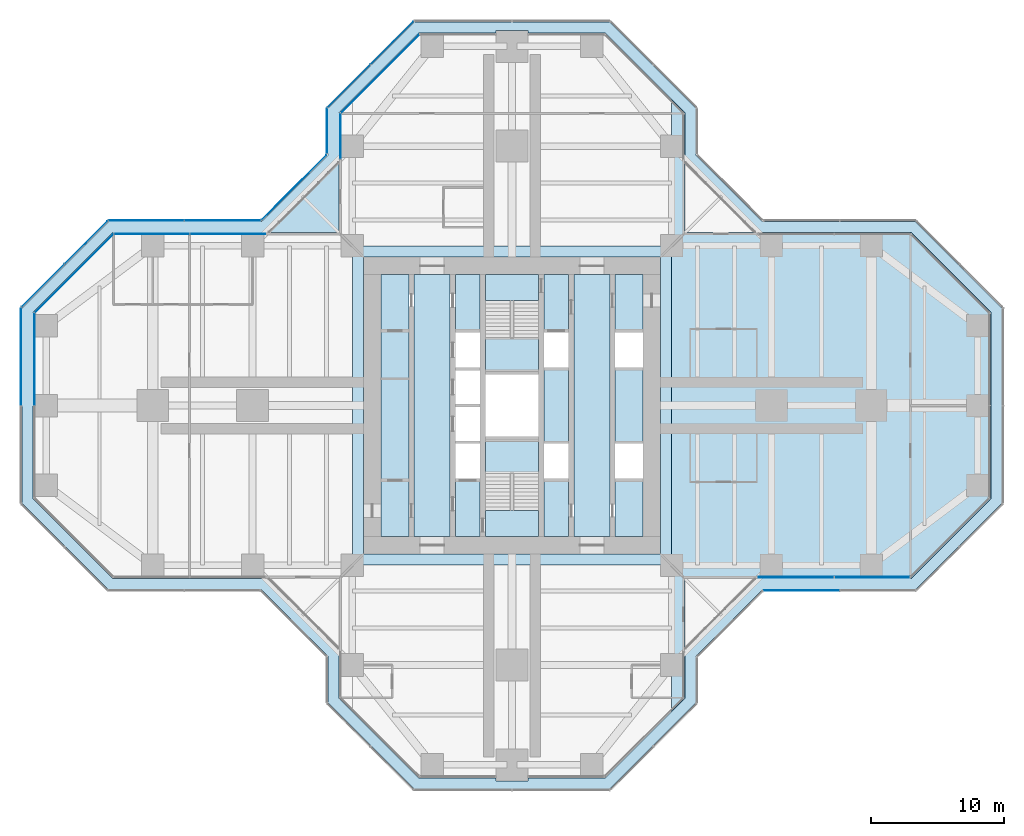
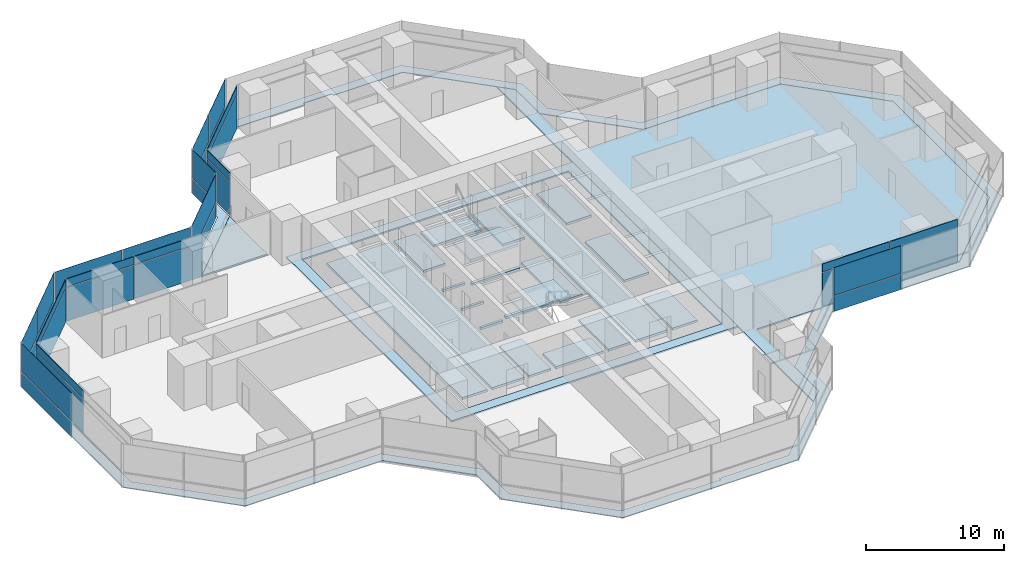
# One storey, part 13 of 19: 37 plates, 8 slabs, 15 elements without a shape of their own.
"""IFC4 building model written with IfcOpenShell, lengths in metres."""

from ifc_helpers import new_model, si_unit, direction, frame, origin, origin_2d, place, context, subcontext, project, spatial, polyline, rectangle, outline, extrude, material, layer, layer_set, type_object, element, aggregate, save


model = new_model("IFC4")

# Units and contexts
model_context = context("Model", 3, precision=1e-05, world=origin(), true_north=direction((0.0, 1.0)))
body_context = subcontext(model_context, "Body", "Model", "MODEL_VIEW")
ifc_project = project(units=[si_unit("LENGTHUNIT", "METRE"), si_unit("AREAUNIT", "SQUARE_METRE"), si_unit("VOLUMEUNIT", "CUBIC_METRE"), si_unit("PLANEANGLEUNIT", "RADIAN"), si_unit("MASSUNIT", "GRAM", prefix="KILO")], contexts=[model_context])

# Site, building, storey
site_placement = place(None, origin())
site = spatial("IfcSite", under=ifc_project, at=site_placement, CompositionType="ELEMENT")
building_placement = place(site_placement, origin())
building = spatial("IfcBuilding", under=site, at=building_placement, Name="Mizan Broadcast Tower", CompositionType="ELEMENT")
storey_placement = place(building_placement, frame((0.0, 0.0, 167.10009765625)))
storey = spatial("IfcBuildingStorey", under=building, at=storey_placement, Name="L38", CompositionType="ELEMENT", Elevation=167.10009765625)

# Plate
ifc_material_1 = material(Name="Aluminium grating", Category="aluminium")
ifc_layer_1 = layer(ifc_material_1, 0.050048828125)
ifc_layer_set_1 = layer_set([ifc_layer_1], Name="Aluminium grating")
plate_type_1 = type_object("IfcPlateType", Name="CAVITY GRATING", PredefinedType="USERDEFINED", material=ifc_layer_set_1)
plate_1_placement = place(storey_placement, frame((0.0, 0.0, -0.050048828125)))
element("IfcPlate", 1, at=plate_1_placement, inside=storey, type_object=plate_type_1, Name="Cavity grating L38", ObjectType="GRATING", PredefinedType="USERDEFINED", context=body_context, shape_type="SweptSolid", body=[
    extrude(outline(polyline([(13.820068359375, -18.839599609375), (18.839599609375, -13.820068359375), (30.339599609375, -13.820068359375), (36.820068359375, -7.339599609375), (36.820068359375, 7.339599609375), (30.339599609375, 13.820068359375), (18.839599609375, 13.820068359375), (13.820068359375, 18.839599609375), (13.820068359375, 22.339599609375), (7.339599609375, 28.820068359375), (-7.339599609375, 28.820068359375), (-13.820068359375, 22.339599609375), (-13.820068359375, 18.839599609375), (-18.839599609375, 13.820068359375), (-30.339599609375, 13.820068359375), (-36.820068359375, 7.339599609375), (-36.820068359375, -7.339599609375), (-30.339599609375, -13.820068359375), (-18.839599609375, -13.820068359375), (-13.820068359375, -18.839599609375), (-13.820068359375, -22.339599609375), (-7.339599609375, -28.820068359375), (7.339599609375, -28.820068359375), (13.820068359375, -22.339599609375), (13.820068359375, -18.839599609375)]), holes=[polyline([(36.0, 7.0), (36.0, -7.0), (30.0, -13.0), (18.5, -13.0), (13.0, -18.5), (13.0, -22.0), (7.0, -28.0), (1.199951171875, -28.0), (1.199951171875, -28.199951171875), (-1.199951171875, -28.199951171875), (-1.199951171875, -28.0), (-7.0, -28.0), (-13.0, -22.0), (-13.0, -18.5), (-18.5, -13.0), (-30.0, -13.0), (-36.0, -7.0), (-36.0, 7.0), (-30.0, 13.0), (-18.5, 13.0), (-13.0, 18.5), (-13.0, 22.0), (-7.0, 28.0), (-1.199951171875, 28.0), (-1.199951171875, 28.199951171875), (1.199951171875, 28.199951171875), (1.199951171875, 28.0), (7.0, 28.0), (13.0, 22.0), (13.0, 18.5), (18.5, 13.0), (30.0, 13.0), (36.0, 7.0)])]), origin(), (0.0, 0.0, 1.0), 0.050048828125),
])

# Slabs
ifc_material_2 = material(Name="Concrete C32/40", Category="concrete")
ifc_layer_2 = layer(ifc_material_2, 0.1298828125)
ifc_layer_set_2 = layer_set([ifc_layer_2], Name="Concrete C32/40")
slab_type_1 = type_object("IfcSlabType", Name="COMPOSITE DECK SLAB 130", PredefinedType="FLOOR", material=ifc_layer_set_2)
slab_1_placement = place(storey_placement, frame((0.0, 0.0, -0.130126953125)))
element("IfcSlab", 2, at=slab_1_placement, inside=storey, type_object=slab_type_1, Name="Floor slab L38 centre", PredefinedType="FLOOR", context=body_context, shape_type="SweptSolid", body=[
    extrude(outline(polyline([(-12.0, -12.0), (12.0, -12.0), (12.0, 12.0), (-12.0, 12.0), (-12.0, -12.0)]), holes=[polyline([(-11.14990234375, 11.14990234375), (11.14990234375, 11.14990234375), (11.14990234375, -11.14990234375), (-11.14990234375, -11.14990234375), (-11.14990234375, 11.14990234375)])]), origin(), (0.0, 0.0, 1.0), 0.130126953125),
])
slab_2_placement = place(storey_placement, frame((0.0, 0.0, -0.130126953125)))
element("IfcSlab", 3, at=slab_2_placement, inside=storey, type_object=slab_type_1, Name="Floor slab L38 east arm", PredefinedType="FLOOR", context=body_context, shape_type="SweptSolid", body=[
    extrude(outline(polyline([(12.0, -23.0), (13.0, -22.0), (13.0, -13.0), (30.0, -13.0), (36.0, -7.0), (36.0, 7.0), (30.0, 13.0), (13.0, 13.0), (13.0, 22.0), (12.0, 23.0), (12.0, -23.0)])), origin(), (0.0, 0.0, 1.0), 0.130126953125),
])
ifc_material_3 = material(Name="Concrete C40/50", Category="concrete")
ifc_layer_3 = layer(ifc_material_3, 0.199951171875)
ifc_layer_set_3 = layer_set([ifc_layer_3], Name="Concrete C40/50")
slab_type_2 = type_object("IfcSlabType", Name="CORE FLOOR 200", PredefinedType="FLOOR", material=ifc_layer_set_3)
slab_3_placement = place(storey_placement, frame((0.0, 0.0, -0.2001953125)))
element("IfcSlab", 4, at=slab_3_placement, inside=storey, type_object=slab_type_2, Name="Core floor L38", PredefinedType="FLOOR", context=body_context, shape_type="SweptSolid", body=[
    extrude(outline(polyline([(-9.85009765625, -9.85009765625), (-7.75, -9.85009765625), (-7.75, 9.85009765625), (-9.85009765625, 9.85009765625), (-9.85009765625, -9.85009765625)])), origin(), (0.0, 0.0, 1.0), 0.2001953125),
    extrude(outline(polyline([(-4.64990234375, 9.85009765625), (-7.35009765625, 9.85009765625), (-7.35009765625, -9.85009765625), (-4.64990234375, -9.85009765625), (-4.64990234375, 9.85009765625)])), origin(), (0.0, 0.0, 1.0), 0.2001953125),
    extrude(outline(polyline([(-4.25, -5.5), (-4.25, -9.85009765625), (-2.39990234375, -9.85009765625), (-2.39990234375, -5.5), (-4.25, -5.5)])), origin(), (0.0, 0.0, 1.0), 0.2001953125),
    extrude(outline(polyline([(-4.25, -2.85009765625), (-2.39990234375, -2.85009765625), (-2.39990234375, -2.64990234375), (-4.25, -2.64990234375), (-4.25, -2.85009765625)])), origin(), (0.0, 0.0, 1.0), 0.2001953125),
    extrude(outline(polyline([(-4.25, -0.10009765625), (-2.39990234375, -0.10009765625), (-2.39990234375, 0.10009765625), (-4.25, 0.10009765625), (-4.25, -0.10009765625)])), origin(), (0.0, 0.0, 1.0), 0.2001953125),
    extrude(outline(polyline([(-4.25, 2.64990234375), (-2.39990234375, 2.64990234375), (-2.39990234375, 2.85009765625), (-4.25, 2.85009765625), (-4.25, 2.64990234375)])), origin(), (0.0, 0.0, 1.0), 0.2001953125),
    extrude(outline(polyline([(-4.25, 5.5), (-2.39990234375, 5.5), (-2.39990234375, 9.85009765625), (-4.25, 9.85009765625), (-4.25, 5.5)])), origin(), (0.0, 0.0, 1.0), 0.2001953125),
    extrude(outline(polyline([(2.0, -2.324951171875), (-2.0, -2.324951171875), (-2.0, -2.574951171875), (2.0, -2.574951171875), (2.0, -2.324951171875)])), origin(), (0.0, 0.0, 1.0), 0.2001953125),
    extrude(outline(polyline([(2.0, 2.574951171875), (-2.0, 2.574951171875), (-2.0, 2.324951171875), (2.0, 2.324951171875), (2.0, 2.574951171875)])), origin(), (0.0, 0.0, 1.0), 0.2001953125),
    extrude(outline(polyline([(4.25, -9.85009765625), (4.25, -5.5), (2.39990234375, -5.5), (2.39990234375, -9.85009765625), (4.25, -9.85009765625)])), origin(), (0.0, 0.0, 1.0), 0.2001953125),
    extrude(outline(polyline([(4.25, -2.85009765625), (4.25, 2.85009765625), (2.39990234375, 2.85009765625), (2.39990234375, -2.85009765625), (4.25, -2.85009765625)])), origin(), (0.0, 0.0, 1.0), 0.2001953125),
    extrude(outline(polyline([(4.25, 5.5), (4.25, 9.85009765625), (2.39990234375, 9.85009765625), (2.39990234375, 5.5), (4.25, 5.5)])), origin(), (0.0, 0.0, 1.0), 0.2001953125),
    extrude(outline(polyline([(4.64990234375, 9.85009765625), (4.64990234375, -9.85009765625), (7.35009765625, -9.85009765625), (7.35009765625, 9.85009765625), (4.64990234375, 9.85009765625)])), origin(), (0.0, 0.0, 1.0), 0.2001953125),
    extrude(outline(polyline([(9.85009765625, -9.85009765625), (9.85009765625, -5.5), (7.75, -5.5), (7.75, -9.85009765625), (9.85009765625, -9.85009765625)])), origin(), (0.0, 0.0, 1.0), 0.2001953125),
    extrude(outline(polyline([(7.75, -2.85009765625), (9.85009765625, -2.85009765625), (9.85009765625, 2.85009765625), (7.75, 2.85009765625), (7.75, -2.85009765625)])), origin(), (0.0, 0.0, 1.0), 0.2001953125),
    extrude(outline(polyline([(9.85009765625, 5.5), (9.85009765625, 9.85009765625), (7.75, 9.85009765625), (7.75, 5.5), (9.85009765625, 5.5)])), origin(), (0.0, 0.0, 1.0), 0.2001953125),
])

# Curtain wall, plates
ifc_material_4 = material(Name="Aluminium framed glazing", Category="aluminium")
curtain_wall_type_1 = type_object("IfcCurtainWallType", Name="INNER SKIN MID ZONE", PredefinedType="USERDEFINED", material=ifc_material_4)
curtain_wall_1_placement = place(storey_placement, origin())
curtain_wall_1 = element("IfcCurtainWall", 5, at=curtain_wall_1_placement, inside=storey, type_object=curtain_wall_type_1, Name="Inner skin mid zone L38 E side", ObjectType="INNER SKIN MID ZONE", PredefinedType="USERDEFINED")
ifc_material_5 = material(Name="Double glazing, clear low-e", Category="glass")
ifc_layer_4 = layer(ifc_material_5, 0.028076171875)
ifc_layer_set_4 = layer_set([ifc_layer_4], Name="Double glazing, clear low-e")
plate_type_2 = type_object("IfcPlateType", Name="INNER SKIN GLAZING UNIT", PredefinedType="CURTAIN_PANEL", material=ifc_layer_set_4)
plate_2_placement = place(storey_placement, frame((21.379638671875, -12.89990234375, 0.0), z_axis=(0.0, 0.0, 1.0), x_axis=(1.0, 0.0, 0.0)))
plate_2 = element("IfcPlate", 6, at=plate_2_placement, type_object=plate_type_2, Name="Inner skin mid zone L38 E side panel 1.1", PredefinedType="CURTAIN_PANEL", context=body_context, shape_type="SweptSolid", body=[
    extrude(rectangle(XDim=5.639404296875, YDim=0.028076171875, at=origin_2d()), origin(), (0.0, 0.0, 1.0), 3.0),
])
plate_3_placement = place(storey_placement, frame((27.078857421875, -12.89990234375, 0.0), z_axis=(0.0, 0.0, 1.0), x_axis=(1.0, 0.0, 0.0)))
plate_3 = element("IfcPlate", 7, at=plate_3_placement, type_object=plate_type_2, Name="Inner skin mid zone L38 E side panel 2.1", PredefinedType="CURTAIN_PANEL", context=body_context, shape_type="SweptSolid", body=[
    extrude(rectangle(XDim=5.639404296875, YDim=0.028076171875, at=origin_2d()), origin(), (0.0, 0.0, 1.0), 3.0),
])

# Curtain wall, plate
curtain_wall_2_placement = place(storey_placement, origin())
curtain_wall_2 = element("IfcCurtainWall", 8, at=curtain_wall_2_placement, inside=storey, type_object=curtain_wall_type_1, Name="Inner skin mid zone L38 N chamfer", ObjectType="INNER SKIN MID ZONE", PredefinedType="USERDEFINED")
plate_4_placement = place(storey_placement, frame((-9.92919921875, 24.92919921875, 0.0), z_axis=(0.0, 0.0, 1.0), x_axis=(-0.707106781187, -0.707106781187, 0.0)))
plate_4 = element("IfcPlate", 9, at=plate_4_placement, type_object=plate_type_2, Name="Inner skin mid zone L38 N chamfer panel 1.1", PredefinedType="CURTAIN_PANEL", context=body_context, shape_type="SweptSolid", body=[
    extrude(rectangle(XDim=8.282470703125, YDim=0.028076171875, at=origin_2d()), origin(), (0.0, 0.0, 1.0), 3.0),
])

curtain_wall_3_placement = place(storey_placement, origin())
curtain_wall_3 = element("IfcCurtainWall", 10, at=curtain_wall_3_placement, inside=storey, type_object=curtain_wall_type_1, Name="Inner skin mid zone L38 N side", ObjectType="INNER SKIN MID ZONE", PredefinedType="USERDEFINED")
plate_5_placement = place(storey_placement, frame((-12.89990234375, 20.229248046875, 0.0), z_axis=(0.0, 0.0, 1.0), x_axis=(0.0, -1.0, 0.0)))
plate_5 = element("IfcPlate", 11, at=plate_5_placement, type_object=plate_type_2, Name="Inner skin mid zone L38 N side panel 1.1", PredefinedType="CURTAIN_PANEL", context=body_context, shape_type="SweptSolid", body=[
    extrude(rectangle(XDim=3.338623046875, YDim=0.028076171875, at=origin_2d()), origin(), (0.0, 0.0, 1.0), 3.0),
])

# Curtain wall, plates
curtain_wall_4_placement = place(storey_placement, origin())
curtain_wall_4 = element("IfcCurtainWall", 12, at=curtain_wall_4_placement, inside=storey, type_object=curtain_wall_type_1, Name="Inner skin mid zone L38 W side", ObjectType="INNER SKIN MID ZONE", PredefinedType="USERDEFINED")
plate_6_placement = place(storey_placement, frame((-21.379638671875, 12.89990234375, 0.0), z_axis=(0.0, 0.0, 1.0), x_axis=(-1.0, 0.0, 0.0)))
plate_6 = element("IfcPlate", 13, at=plate_6_placement, type_object=plate_type_2, Name="Inner skin mid zone L38 W side panel 1.1", PredefinedType="CURTAIN_PANEL", context=body_context, shape_type="SweptSolid", body=[
    extrude(rectangle(XDim=5.639404296875, YDim=0.028076171875, at=origin_2d()), origin(), (0.0, 0.0, 1.0), 3.0),
])
plate_7_placement = place(storey_placement, frame((-27.078857421875, 12.89990234375, 0.0), z_axis=(0.0, 0.0, 1.0), x_axis=(-1.0, 0.0, 0.0)))
plate_7 = element("IfcPlate", 14, at=plate_7_placement, type_object=plate_type_2, Name="Inner skin mid zone L38 W side panel 2.1", PredefinedType="CURTAIN_PANEL", context=body_context, shape_type="SweptSolid", body=[
    extrude(rectangle(XDim=5.639404296875, YDim=0.028076171875, at=origin_2d()), origin(), (0.0, 0.0, 1.0), 3.0),
])

# Curtain wall, plate
curtain_wall_5_placement = place(storey_placement, origin())
curtain_wall_5 = element("IfcCurtainWall", 15, at=curtain_wall_5_placement, inside=storey, type_object=curtain_wall_type_1, Name="Inner skin mid zone L38 W chamfer", ObjectType="INNER SKIN MID ZONE", PredefinedType="USERDEFINED")
plate_8_placement = place(storey_placement, frame((-32.92919921875, 9.92919921875, 0.0), z_axis=(0.0, 0.0, 1.0), x_axis=(-0.707106781187, -0.707106781187, 0.0)))
plate_8 = element("IfcPlate", 16, at=plate_8_placement, type_object=plate_type_2, Name="Inner skin mid zone L38 W chamfer panel 1.1", PredefinedType="CURTAIN_PANEL", context=body_context, shape_type="SweptSolid", body=[
    extrude(rectangle(XDim=8.282470703125, YDim=0.028076171875, at=origin_2d()), origin(), (0.0, 0.0, 1.0), 3.0),
])

curtain_wall_6_placement = place(storey_placement, origin())
curtain_wall_6 = element("IfcCurtainWall", 17, at=curtain_wall_6_placement, inside=storey, type_object=curtain_wall_type_1, Name="Inner skin mid zone L38 W end", ObjectType="INNER SKIN MID ZONE", PredefinedType="USERDEFINED")
plate_9_placement = place(storey_placement, frame((-35.89990234375, 3.46435546875, 0.0), z_axis=(0.0, 0.0, 1.0), x_axis=(0.0, -1.0, 0.0)))
plate_9 = element("IfcPlate", 18, at=plate_9_placement, type_object=plate_type_2, Name="Inner skin mid zone L38 W end panel 1.1", PredefinedType="CURTAIN_PANEL", context=body_context, shape_type="SweptSolid", body=[
    extrude(rectangle(XDim=6.86865234375, YDim=0.028076171875, at=origin_2d()), origin(), (0.0, 0.0, 1.0), 3.0),
])

# Plate
ifc_material_6 = material(Name="Insulated aluminium spandrel panel, pale anodised", Category="aluminium")
ifc_layer_5 = layer(ifc_material_6, 0.050048828125)
ifc_layer_set_5 = layer_set([ifc_layer_5], Name="Insulated aluminium spandrel panel, pale anodised")
plate_type_3 = type_object("IfcPlateType", Name="INNER SKIN SPANDREL PANEL", PredefinedType="CURTAIN_PANEL", material=ifc_layer_set_5)
plate_10_placement = place(storey_placement, frame((21.379638671875, -12.89990234375, 3.059814453125), z_axis=(0.0, 0.0, 1.0), x_axis=(1.0, 0.0, 0.0)))
plate_10 = element("IfcPlate", 19, at=plate_10_placement, type_object=plate_type_3, Name="Inner skin mid zone L38 E side panel 1.2", PredefinedType="CURTAIN_PANEL", context=body_context, shape_type="SweptSolid", body=[
    extrude(rectangle(XDim=5.639404296875, YDim=0.050048828125, at=origin_2d()), origin(), (0.0, 0.0, 1.0), 0.7099609375),
])

plate_11_placement = place(storey_placement, frame((27.078857421875, -12.89990234375, 3.059814453125), z_axis=(0.0, 0.0, 1.0), x_axis=(1.0, 0.0, 0.0)))
plate_11 = element("IfcPlate", 20, at=plate_11_placement, type_object=plate_type_3, Name="Inner skin mid zone L38 E side panel 2.2", PredefinedType="CURTAIN_PANEL", context=body_context, shape_type="SweptSolid", body=[
    extrude(rectangle(XDim=5.639404296875, YDim=0.050048828125, at=origin_2d()), origin(), (0.0, 0.0, 1.0), 0.7099609375),
])

aggregate(curtain_wall_1, [plate_2, plate_10, plate_3, plate_11])

plate_12_placement = place(storey_placement, frame((-9.92919921875, 24.92919921875, 3.059814453125), z_axis=(0.0, 0.0, 1.0), x_axis=(-0.707106781187, -0.707106781187, 0.0)))
plate_12 = element("IfcPlate", 21, at=plate_12_placement, type_object=plate_type_3, Name="Inner skin mid zone L38 N chamfer panel 1.2", PredefinedType="CURTAIN_PANEL", context=body_context, shape_type="SweptSolid", body=[
    extrude(rectangle(XDim=8.282470703125, YDim=0.050048828125, at=origin_2d()), origin(), (0.0, 0.0, 1.0), 0.7099609375),
])

aggregate(curtain_wall_2, [plate_4, plate_12])

plate_13_placement = place(storey_placement, frame((-12.89990234375, 20.229248046875, 3.059814453125), z_axis=(0.0, 0.0, 1.0), x_axis=(0.0, -1.0, 0.0)))
plate_13 = element("IfcPlate", 22, at=plate_13_placement, type_object=plate_type_3, Name="Inner skin mid zone L38 N side panel 1.2", PredefinedType="CURTAIN_PANEL", context=body_context, shape_type="SweptSolid", body=[
    extrude(rectangle(XDim=3.338623046875, YDim=0.050048828125, at=origin_2d()), origin(), (0.0, 0.0, 1.0), 0.7099609375),
])

aggregate(curtain_wall_3, [plate_5, plate_13])

plate_14_placement = place(storey_placement, frame((-21.379638671875, 12.89990234375, 3.059814453125), z_axis=(0.0, 0.0, 1.0), x_axis=(-1.0, 0.0, 0.0)))
plate_14 = element("IfcPlate", 23, at=plate_14_placement, type_object=plate_type_3, Name="Inner skin mid zone L38 W side panel 1.2", PredefinedType="CURTAIN_PANEL", context=body_context, shape_type="SweptSolid", body=[
    extrude(rectangle(XDim=5.639404296875, YDim=0.050048828125, at=origin_2d()), origin(), (0.0, 0.0, 1.0), 0.7099609375),
])

plate_15_placement = place(storey_placement, frame((-27.078857421875, 12.89990234375, 3.059814453125), z_axis=(0.0, 0.0, 1.0), x_axis=(-1.0, 0.0, 0.0)))
plate_15 = element("IfcPlate", 24, at=plate_15_placement, type_object=plate_type_3, Name="Inner skin mid zone L38 W side panel 2.2", PredefinedType="CURTAIN_PANEL", context=body_context, shape_type="SweptSolid", body=[
    extrude(rectangle(XDim=5.639404296875, YDim=0.050048828125, at=origin_2d()), origin(), (0.0, 0.0, 1.0), 0.7099609375),
])

aggregate(curtain_wall_4, [plate_6, plate_14, plate_7, plate_15])

plate_16_placement = place(storey_placement, frame((-32.92919921875, 9.92919921875, 3.059814453125), z_axis=(0.0, 0.0, 1.0), x_axis=(-0.707106781187, -0.707106781187, 0.0)))
plate_16 = element("IfcPlate", 25, at=plate_16_placement, type_object=plate_type_3, Name="Inner skin mid zone L38 W chamfer panel 1.2", PredefinedType="CURTAIN_PANEL", context=body_context, shape_type="SweptSolid", body=[
    extrude(rectangle(XDim=8.282470703125, YDim=0.050048828125, at=origin_2d()), origin(), (0.0, 0.0, 1.0), 0.7099609375),
])

aggregate(curtain_wall_5, [plate_8, plate_16])

plate_17_placement = place(storey_placement, frame((-35.89990234375, 3.46435546875, 3.059814453125), z_axis=(0.0, 0.0, 1.0), x_axis=(0.0, -1.0, 0.0)))
plate_17 = element("IfcPlate", 26, at=plate_17_placement, type_object=plate_type_3, Name="Inner skin mid zone L38 W end panel 1.2", PredefinedType="CURTAIN_PANEL", context=body_context, shape_type="SweptSolid", body=[
    extrude(rectangle(XDim=6.86865234375, YDim=0.050048828125, at=origin_2d()), origin(), (0.0, 0.0, 1.0), 0.7099609375),
])

aggregate(curtain_wall_6, [plate_9, plate_17])

# Curtain wall, plates
ifc_material_7 = material(Name="Aluminium framed glazing", Category="aluminium")
curtain_wall_type_2 = type_object("IfcCurtainWallType", Name="OUTER SKIN", PredefinedType="USERDEFINED", material=ifc_material_7)
curtain_wall_7_placement = place(storey_placement, origin())
curtain_wall_7 = element("IfcCurtainWall", 27, at=curtain_wall_7_placement, inside=storey, type_object=curtain_wall_type_2, Name="Outer skin L38 N chamfer", ObjectType="OUTER SKIN", PredefinedType="USERDEFINED")
ifc_material_8 = material(Name="Laminated clear glass", Category="glass")
ifc_layer_6 = layer(ifc_material_8, 0.02001953125)
ifc_layer_set_6 = layer_set([ifc_layer_6], Name="Laminated clear glass")
plate_type_4 = type_object("IfcPlateType", Name="OUTER SKIN CLEAR GLASS", PredefinedType="CURTAIN_PANEL", material=ifc_layer_set_6)
plate_18_placement = place(storey_placement, frame((-9.018798828125, 27.254150390625, -0.000244140625), z_axis=(0.0, 0.0, 1.0), x_axis=(-0.707106781187, -0.707106781187, 0.0)))
plate_18 = element("IfcPlate", 28, at=plate_18_placement, type_object=plate_type_4, Name="Outer skin L38 N chamfer panel 1.1", PredefinedType="CURTAIN_PANEL", context=body_context, shape_type="SweptSolid", body=[
    extrude(rectangle(XDim=4.495361328125, YDim=0.02001953125, at=origin_2d()), origin(), (0.0, 0.0, 1.0), 1.3701171875),
])
plate_19_placement = place(storey_placement, frame((-9.018798828125, 27.254150390625, 1.4296875), z_axis=(0.0, 0.0, 1.0), x_axis=(-0.707106781187, -0.707106781187, 0.0)))
plate_19 = element("IfcPlate", 29, at=plate_19_placement, type_object=plate_type_4, Name="Outer skin L38 N chamfer panel 1.2", PredefinedType="CURTAIN_PANEL", context=body_context, shape_type="SweptSolid", body=[
    extrude(rectangle(XDim=4.495361328125, YDim=0.02001953125, at=origin_2d()), origin(), (0.0, 0.0, 1.0), 2.469970703125),
])

curtain_wall_8_placement = place(storey_placement, origin())
curtain_wall_8 = element("IfcCurtainWall", 30, at=curtain_wall_8_placement, inside=storey, type_object=curtain_wall_type_2, Name="Outer skin L38 N side", ObjectType="OUTER SKIN", PredefinedType="USERDEFINED")
plate_20_placement = place(storey_placement, frame((-13.89990234375, 20.622802734375, -0.000244140625), z_axis=(0.0, 0.0, 1.0), x_axis=(0.0, -1.0, 0.0)))
plate_20 = element("IfcPlate", 31, at=plate_20_placement, type_object=plate_type_4, Name="Outer skin L38 N side panel 1.1", PredefinedType="CURTAIN_PANEL", context=body_context, shape_type="SweptSolid", body=[
    extrude(rectangle(XDim=3.340087890625, YDim=0.02001953125, at=origin_2d()), origin(), (0.0, 0.0, 1.0), 1.3701171875),
])
plate_21_placement = place(storey_placement, frame((-13.89990234375, 20.622802734375, 1.4296875), z_axis=(0.0, 0.0, 1.0), x_axis=(0.0, -1.0, 0.0)))
plate_21 = element("IfcPlate", 32, at=plate_21_placement, type_object=plate_type_4, Name="Outer skin L38 N side panel 1.2", PredefinedType="CURTAIN_PANEL", context=body_context, shape_type="SweptSolid", body=[
    extrude(rectangle(XDim=3.340087890625, YDim=0.02001953125, at=origin_2d()), origin(), (0.0, 0.0, 1.0), 2.469970703125),
])
aggregate(curtain_wall_8, [plate_20, plate_21])

curtain_wall_9_placement = place(storey_placement, origin())
curtain_wall_9 = element("IfcCurtainWall", 33, at=curtain_wall_9_placement, inside=storey, type_object=curtain_wall_type_2, Name="Outer skin L38 W chamfer", ObjectType="OUTER SKIN", PredefinedType="USERDEFINED")
plate_22_placement = place(storey_placement, frame((-16.386474609375, 16.386474609375, -0.000244140625), z_axis=(0.0, 0.0, 1.0), x_axis=(-0.707106781187, -0.707106781187, 0.0)))
plate_22 = element("IfcPlate", 34, at=plate_22_placement, type_object=plate_type_4, Name="Outer skin L38 W chamfer panel 1.1", PredefinedType="CURTAIN_PANEL", context=body_context, shape_type="SweptSolid", body=[
    extrude(rectangle(XDim=6.87255859375, YDim=0.02001953125, at=origin_2d()), origin(), (0.0, 0.0, 1.0), 1.3701171875),
])
plate_23_placement = place(storey_placement, frame((-16.386474609375, 16.386474609375, 1.4296875), z_axis=(0.0, 0.0, 1.0), x_axis=(-0.707106781187, -0.707106781187, 0.0)))
plate_23 = element("IfcPlate", 35, at=plate_23_placement, type_object=plate_type_4, Name="Outer skin L38 W chamfer panel 1.2", PredefinedType="CURTAIN_PANEL", context=body_context, shape_type="SweptSolid", body=[
    extrude(rectangle(XDim=6.87255859375, YDim=0.02001953125, at=origin_2d()), origin(), (0.0, 0.0, 1.0), 2.469970703125),
])
aggregate(curtain_wall_9, [plate_22, plate_23])

curtain_wall_10_placement = place(storey_placement, origin())
curtain_wall_10 = element("IfcCurtainWall", 36, at=curtain_wall_10_placement, inside=storey, type_object=curtain_wall_type_2, Name="Outer skin L38 W side", ObjectType="OUTER SKIN", PredefinedType="USERDEFINED")
plate_24_placement = place(storey_placement, frame((-21.767822265625, 13.89990234375, -0.000244140625), z_axis=(0.0, 0.0, 1.0), x_axis=(-1.0, 0.0, 0.0)))
plate_24 = element("IfcPlate", 37, at=plate_24_placement, type_object=plate_type_4, Name="Outer skin L38 W side panel 1.1", PredefinedType="CURTAIN_PANEL", context=body_context, shape_type="SweptSolid", body=[
    extrude(rectangle(XDim=5.6298828125, YDim=0.02001953125, at=origin_2d()), origin(), (0.0, 0.0, 1.0), 1.3701171875),
])
plate_25_placement = place(storey_placement, frame((-21.767822265625, 13.89990234375, 1.4296875), z_axis=(0.0, 0.0, 1.0), x_axis=(-1.0, 0.0, 0.0)))
plate_25 = element("IfcPlate", 38, at=plate_25_placement, type_object=plate_type_4, Name="Outer skin L38 W side panel 1.2", PredefinedType="CURTAIN_PANEL", context=body_context, shape_type="SweptSolid", body=[
    extrude(rectangle(XDim=5.6298828125, YDim=0.02001953125, at=origin_2d()), origin(), (0.0, 0.0, 1.0), 2.469970703125),
])
plate_26_placement = place(storey_placement, frame((-27.477783203125, 13.89990234375, -0.000244140625), z_axis=(0.0, 0.0, 1.0), x_axis=(-1.0, 0.0, 0.0)))
plate_26 = element("IfcPlate", 39, at=plate_26_placement, type_object=plate_type_4, Name="Outer skin L38 W side panel 2.1", PredefinedType="CURTAIN_PANEL", context=body_context, shape_type="SweptSolid", body=[
    extrude(rectangle(XDim=5.6298828125, YDim=0.02001953125, at=origin_2d()), origin(), (0.0, 0.0, 1.0), 1.3701171875),
])
plate_27_placement = place(storey_placement, frame((-27.477783203125, 13.89990234375, 1.4296875), z_axis=(0.0, 0.0, 1.0), x_axis=(-1.0, 0.0, 0.0)))
plate_27 = element("IfcPlate", 40, at=plate_27_placement, type_object=plate_type_4, Name="Outer skin L38 W side panel 2.2", PredefinedType="CURTAIN_PANEL", context=body_context, shape_type="SweptSolid", body=[
    extrude(rectangle(XDim=5.6298828125, YDim=0.02001953125, at=origin_2d()), origin(), (0.0, 0.0, 1.0), 2.469970703125),
])
aggregate(curtain_wall_10, [plate_24, plate_25, plate_26, plate_27])

curtain_wall_11_placement = place(storey_placement, origin())
curtain_wall_11 = element("IfcCurtainWall", 41, at=curtain_wall_11_placement, inside=storey, type_object=curtain_wall_type_2, Name="Outer skin L38 W chamfer", ObjectType="OUTER SKIN", PredefinedType="USERDEFINED")
plate_28_placement = place(storey_placement, frame((-32.018798828125, 12.254150390625, -0.000244140625), z_axis=(0.0, 0.0, 1.0), x_axis=(-0.707106781187, -0.707106781187, 0.0)))
plate_28 = element("IfcPlate", 42, at=plate_28_placement, type_object=plate_type_4, Name="Outer skin L38 W chamfer panel 1.1", PredefinedType="CURTAIN_PANEL", context=body_context, shape_type="SweptSolid", body=[
    extrude(rectangle(XDim=4.495361328125, YDim=0.02001953125, at=origin_2d()), origin(), (0.0, 0.0, 1.0), 1.3701171875),
])
plate_29_placement = place(storey_placement, frame((-32.018798828125, 12.254150390625, 1.4296875), z_axis=(0.0, 0.0, 1.0), x_axis=(-0.707106781187, -0.707106781187, 0.0)))
plate_29 = element("IfcPlate", 43, at=plate_29_placement, type_object=plate_type_4, Name="Outer skin L38 W chamfer panel 1.2", PredefinedType="CURTAIN_PANEL", context=body_context, shape_type="SweptSolid", body=[
    extrude(rectangle(XDim=4.495361328125, YDim=0.02001953125, at=origin_2d()), origin(), (0.0, 0.0, 1.0), 2.469970703125),
])

curtain_wall_12_placement = place(storey_placement, origin())
curtain_wall_12 = element("IfcCurtainWall", 44, at=curtain_wall_12_placement, inside=storey, type_object=curtain_wall_type_2, Name="Outer skin L38 W end", ObjectType="OUTER SKIN", PredefinedType="USERDEFINED")
plate_30_placement = place(storey_placement, frame((-36.89990234375, 3.66650390625, -0.000244140625), z_axis=(0.0, 0.0, 1.0), x_axis=(0.0, -1.0, 0.0)))
plate_30 = element("IfcPlate", 45, at=plate_30_placement, type_object=plate_type_4, Name="Outer skin L38 W end panel 1.1", PredefinedType="CURTAIN_PANEL", context=body_context, shape_type="SweptSolid", body=[
    extrude(rectangle(XDim=7.252685546875, YDim=0.02001953125, at=origin_2d()), origin(), (0.0, 0.0, 1.0), 1.3701171875),
])
plate_31_placement = place(storey_placement, frame((-36.89990234375, 3.66650390625, 1.4296875), z_axis=(0.0, 0.0, 1.0), x_axis=(0.0, -1.0, 0.0)))
plate_31 = element("IfcPlate", 46, at=plate_31_placement, type_object=plate_type_4, Name="Outer skin L38 W end panel 1.2", PredefinedType="CURTAIN_PANEL", context=body_context, shape_type="SweptSolid", body=[
    extrude(rectangle(XDim=7.252685546875, YDim=0.02001953125, at=origin_2d()), origin(), (0.0, 0.0, 1.0), 2.469970703125),
])
aggregate(curtain_wall_12, [plate_30, plate_31])

curtain_wall_13_placement = place(storey_placement, origin())
curtain_wall_13 = element("IfcCurtainWall", 47, at=curtain_wall_13_placement, inside=storey, type_object=curtain_wall_type_2, Name="Outer skin L38 E side", ObjectType="OUTER SKIN", PredefinedType="USERDEFINED")
plate_32_placement = place(storey_placement, frame((21.767822265625, -13.89990234375, -0.000244140625), z_axis=(0.0, 0.0, 1.0), x_axis=(1.0, 0.0, 0.0)))
plate_32 = element("IfcPlate", 48, at=plate_32_placement, type_object=plate_type_4, Name="Outer skin L38 E side panel 1.1", PredefinedType="CURTAIN_PANEL", context=body_context, shape_type="SweptSolid", body=[
    extrude(rectangle(XDim=5.6298828125, YDim=0.02001953125, at=origin_2d()), origin(), (0.0, 0.0, 1.0), 1.3701171875),
])
plate_33_placement = place(storey_placement, frame((21.767822265625, -13.89990234375, 1.4296875), z_axis=(0.0, 0.0, 1.0), x_axis=(1.0, 0.0, 0.0)))
plate_33 = element("IfcPlate", 49, at=plate_33_placement, type_object=plate_type_4, Name="Outer skin L38 E side panel 1.2", PredefinedType="CURTAIN_PANEL", context=body_context, shape_type="SweptSolid", body=[
    extrude(rectangle(XDim=5.6298828125, YDim=0.02001953125, at=origin_2d()), origin(), (0.0, 0.0, 1.0), 2.469970703125),
])
aggregate(curtain_wall_13, [plate_32, plate_33])

# Plate
ifc_material_9 = material(Name="Perforated aluminium, pale anodised", Category="aluminium")
ifc_layer_7 = layer(ifc_material_9, 0.011962890625)
ifc_layer_set_7 = layer_set([ifc_layer_7], Name="Perforated aluminium, pale anodised")
plate_type_5 = type_object("IfcPlateType", Name="OUTER SKIN PERFORATED SCREEN", PredefinedType="USERDEFINED", material=ifc_layer_set_7)
plate_34_placement = place(storey_placement, frame((-12.254150390625, 24.018798828125, -0.000244140625), z_axis=(0.0, 0.0, 1.0), x_axis=(-0.707106781187, -0.707106781187, 0.0)))
plate_34 = element("IfcPlate", 50, at=plate_34_placement, type_object=plate_type_5, Name="Outer skin L38 N chamfer panel 2.1", ObjectType="SCREEN", PredefinedType="USERDEFINED", context=body_context, shape_type="SweptSolid", body=[
    extrude(rectangle(XDim=4.495361328125, YDim=0.011962890625, at=origin_2d()), origin(), (0.0, 0.0, 1.0), 1.3701171875),
])

plate_35_placement = place(storey_placement, frame((-12.254150390625, 24.018798828125, 1.4296875), z_axis=(0.0, 0.0, 1.0), x_axis=(-0.707106781187, -0.707106781187, 0.0)))
plate_35 = element("IfcPlate", 51, at=plate_35_placement, type_object=plate_type_5, Name="Outer skin L38 N chamfer panel 2.2", ObjectType="SCREEN", PredefinedType="USERDEFINED", context=body_context, shape_type="SweptSolid", body=[
    extrude(rectangle(XDim=4.495361328125, YDim=0.011962890625, at=origin_2d()), origin(), (0.0, 0.0, 1.0), 2.469970703125),
])

aggregate(curtain_wall_7, [plate_18, plate_19, plate_34, plate_35])

plate_36_placement = place(storey_placement, frame((-35.254150390625, 9.018798828125, -0.000244140625), z_axis=(0.0, 0.0, 1.0), x_axis=(-0.707106781187, -0.707106781187, 0.0)))
plate_36 = element("IfcPlate", 52, at=plate_36_placement, type_object=plate_type_5, Name="Outer skin L38 W chamfer panel 2.1", ObjectType="SCREEN", PredefinedType="USERDEFINED", context=body_context, shape_type="SweptSolid", body=[
    extrude(rectangle(XDim=4.495361328125, YDim=0.011962890625, at=origin_2d()), origin(), (0.0, 0.0, 1.0), 1.3701171875),
])

plate_37_placement = place(storey_placement, frame((-35.254150390625, 9.018798828125, 1.4296875), z_axis=(0.0, 0.0, 1.0), x_axis=(-0.707106781187, -0.707106781187, 0.0)))
plate_37 = element("IfcPlate", 53, at=plate_37_placement, type_object=plate_type_5, Name="Outer skin L38 W chamfer panel 2.2", ObjectType="SCREEN", PredefinedType="USERDEFINED", context=body_context, shape_type="SweptSolid", body=[
    extrude(rectangle(XDim=4.495361328125, YDim=0.011962890625, at=origin_2d()), origin(), (0.0, 0.0, 1.0), 2.469970703125),
])

aggregate(curtain_wall_11, [plate_28, plate_29, plate_36, plate_37])

# Stair, slabs
ifc_material_10 = material(Name="Concrete C40/50", Category="concrete")
stair_type = type_object("IfcStairType", Name="EXIT STAIR", PredefinedType="HALF_TURN_STAIR", material=ifc_material_10)
stair_1_placement = place(storey_placement, origin())
stair_1 = element("IfcStair", 54, at=stair_1_placement, inside=storey, type_object=stair_type, Name="Stair A L38", PredefinedType="HALF_TURN_STAIR")
ifc_material_11 = material(Name="Concrete C40/50", Category="concrete")
ifc_layer_8 = layer(ifc_material_11, 0.199951171875)
ifc_layer_set_8 = layer_set([ifc_layer_8], Name="Concrete C40/50")
slab_type_3 = type_object("IfcSlabType", Name="STAIR LANDING 200", PredefinedType="LANDING", material=ifc_layer_set_8)
slab_4_placement = place(storey_placement, frame((0.0, 0.0, -0.2001953125)))
slab_4 = element("IfcSlab", 55, at=slab_4_placement, type_object=slab_type_3, Name="A landing 1", PredefinedType="LANDING", context=body_context, shape_type="SweptSolid", body=[
    extrude(outline(polyline([(-2.0, -9.85009765625), (-2.0, -7.89990234375), (2.0, -7.89990234375), (2.0, -9.85009765625), (-2.0, -9.85009765625)])), origin(), (0.0, 0.0, 1.0), 0.2001953125),
])
slab_5_placement = place(storey_placement, frame((0.0, 0.0, 1.75)))
slab_5 = element("IfcSlab", 56, at=slab_5_placement, type_object=slab_type_3, Name="A landing 2", PredefinedType="LANDING", context=body_context, shape_type="SweptSolid", body=[
    extrude(outline(polyline([(-2.0, -5.10009765625), (-2.0, -2.574951171875), (2.0, -2.574951171875), (2.0, -5.10009765625), (-2.0, -5.10009765625)])), origin(), (0.0, 0.0, 1.0), 0.199951171875),
])
aggregate(stair_1, [slab_4, slab_5])

stair_2_placement = place(storey_placement, origin())
stair_2 = element("IfcStair", 57, at=stair_2_placement, inside=storey, type_object=stair_type, Name="Stair B L38", PredefinedType="HALF_TURN_STAIR")
slab_6_placement = place(storey_placement, frame((0.0, 0.0, -0.2001953125)))
slab_6 = element("IfcSlab", 58, at=slab_6_placement, type_object=slab_type_3, Name="B landing 1", PredefinedType="LANDING", context=body_context, shape_type="SweptSolid", body=[
    extrude(outline(polyline([(2.0, 9.85009765625), (2.0, 7.89990234375), (-2.0, 7.89990234375), (-2.0, 9.85009765625), (2.0, 9.85009765625)])), origin(), (0.0, 0.0, 1.0), 0.2001953125),
])
slab_7_placement = place(storey_placement, frame((0.0, 0.0, 1.75)))
slab_7 = element("IfcSlab", 59, at=slab_7_placement, type_object=slab_type_3, Name="B landing 2", PredefinedType="LANDING", context=body_context, shape_type="SweptSolid", body=[
    extrude(outline(polyline([(2.0, 5.10009765625), (2.0, 2.574951171875), (-2.0, 2.574951171875), (-2.0, 5.10009765625), (2.0, 5.10009765625)])), origin(), (0.0, 0.0, 1.0), 0.199951171875),
])
aggregate(stair_2, [slab_6, slab_7])

# Slab
ifc_material_12 = material(Name="Concrete C32/40", Category="concrete")
ifc_layer_9 = layer(ifc_material_12, 0.1298828125)
ifc_layer_set_9 = layer_set([ifc_layer_9], Name="Concrete C32/40")
slab_type_4 = type_object("IfcSlabType", Name="WINTER GARDEN SLAB 130", PredefinedType="FLOOR", material=ifc_layer_set_9)
slab_8_placement = place(storey_placement, frame((0.0, 0.0, -0.130126953125)))
element("IfcSlab", 60, at=slab_8_placement, inside=storey, type_object=slab_type_4, Name="Winter garden slab L38 N", PredefinedType="FLOOR", context=body_context, shape_type="SweptSolid", body=[
    extrude(outline(polyline([(-13.0, 13.0), (-13.0, 18.5), (-18.5, 13.0), (-13.0, 13.0)])), origin(), (0.0, 0.0, 1.0), 0.130126953125),
])

save(model, "model.ifc")
